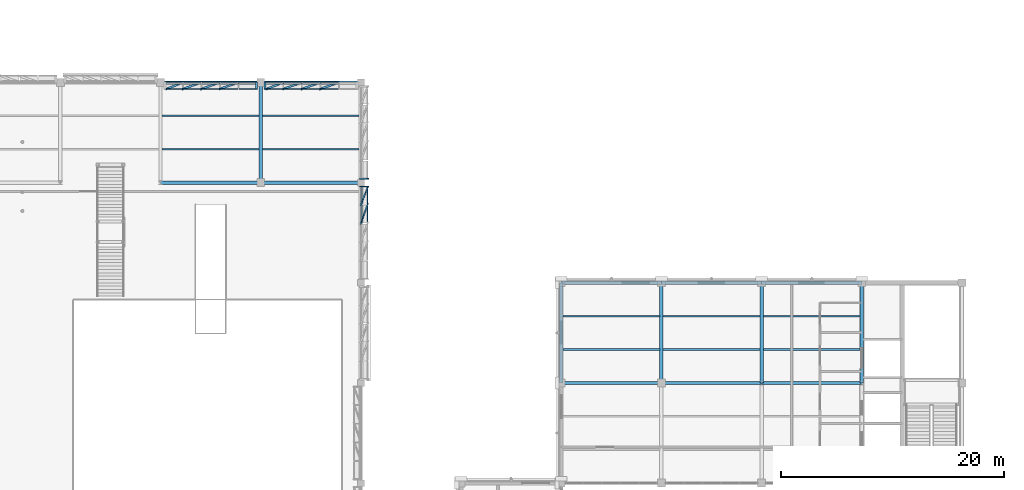
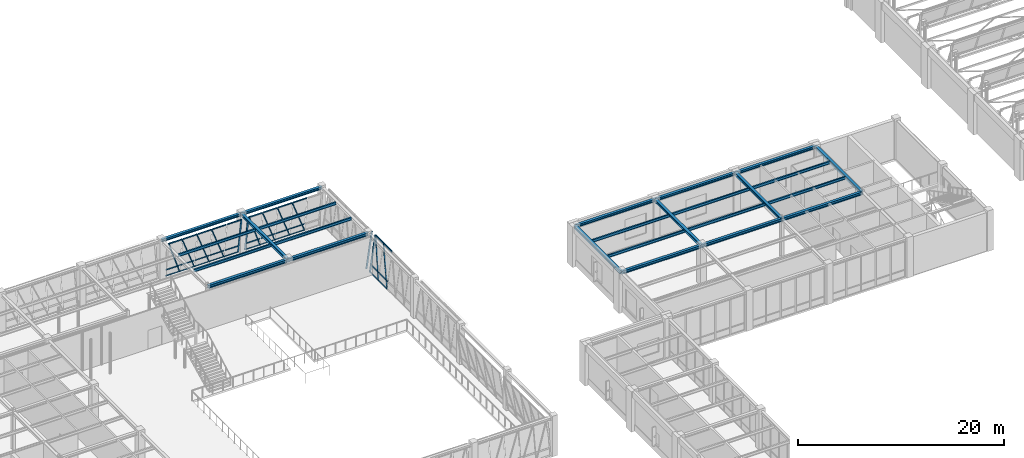
# One storey, part 48 of 98: 47 members, 25 beams, 4 elements without a shape of their own.
"""IFC4 building model written with IfcOpenShell, lengths in metres."""

import ifcopenshell
import ifcopenshell.guid

model = None  # the IFC model being written
_history = None  # IfcOwnerHistory: only IFC2X3 demands one
_inside = {}  # id of a spatial element -> (the spatial element, [elements in it])
_under = {}  # id of a project, library or spatial element -> (it, [spatial elements below it])
_declared = {}  # id of a project -> (the project, [libraries it declares])
_typed = {}  # id of a type object -> (the type object, [elements of that type])
_made_of = {}  # id of a material, layer set ... -> (it, [elements and type objects made of it])


def new_model(schema):
    """Start an empty IFC model of exactly this schema.

    Asked for "IFC4X3", IfcOpenShell would pick the latest addendum, in which some entities
    have other attributes; the version numbers below select the first issue.
    IFC2X3 requires an IfcOwnerHistory on every rooted entity: one is made here for all.
    """
    global model, _history
    if schema == "IFC4X3":
        model = ifcopenshell.file(schema_version=(4, 3, 0, 0))
    else:
        model = ifcopenshell.file(schema=schema)
    _inside.clear()
    _under.clear()
    _declared.clear()
    _typed.clear()
    _made_of.clear()
    _history = None
    if model.schema == "IFC2X3":
        org = make("IfcOrganization", Name="unknown")
        user = make(
            "IfcPersonAndOrganization",
            ThePerson=make("IfcPerson", FamilyName="unknown"),
            TheOrganization=org,
        )
        app = make(
            "IfcApplication",
            ApplicationDeveloper=org,
            Version="unknown",
            ApplicationFullName="unknown",
            ApplicationIdentifier="unknown",
        )
        _history = make(
            "IfcOwnerHistory",
            OwningUser=user,
            OwningApplication=app,
            ChangeAction="ADDED",
            CreationDate=0,
        )
    return model


def make(cls, **values):
    """One entity of the class cls with the attributes given. An attribute that is None is left unset."""
    return model.create_entity(
        cls, **{name: value for name, value in values.items() if value is not None}
    )


def rooted(cls, **values):
    """An entity with a GlobalId (a new one), such as an element, a storey or a relation."""
    return make(cls, GlobalId=ifcopenshell.guid.new(), OwnerHistory=_history, **values)


def si_unit(unit_type, name, prefix=None):
    """IfcSIUnit, for example si_unit("LENGTHUNIT", "METRE", prefix="MILLI")."""
    return make("IfcSIUnit", UnitType=unit_type, Prefix=prefix, Name=name)


def assignment(units):
    """IfcUnitAssignment: the units of a project."""
    return None if units is None else make("IfcUnitAssignment", Units=units)


def point(xyz):
    """IfcCartesianPoint."""
    return None if xyz is None else make("IfcCartesianPoint", Coordinates=xyz)


def direction(xyz):
    """IfcDirection."""
    return None if xyz is None else make("IfcDirection", DirectionRatios=xyz)


def frame(location, z_axis=None, x_axis=None):
    """IfcAxis2Placement3D, a coordinate frame: its origin and axes. An axis left out is left unset."""
    return make(
        "IfcAxis2Placement3D",
        Location=point(location),
        Axis=direction(z_axis),
        RefDirection=direction(x_axis),
    )


def frame_2d(location, x_axis=None):
    """IfcAxis2Placement2D, a coordinate frame in the plane: its origin and x axis."""
    return make(
        "IfcAxis2Placement2D", Location=point(location), RefDirection=direction(x_axis)
    )


def origin():
    """The frame at (0, 0, 0) with its axes left unset."""
    return frame((0.0, 0.0, 0.0))


def origin_2d():
    """The frame at (0, 0) in the plane with its x axis left unset."""
    return frame_2d((0.0, 0.0))


def place(relative_to, where):
    """IfcLocalPlacement: puts the frame where relative to a parent placement (None: the world)."""
    return make(
        "IfcLocalPlacement", PlacementRelTo=relative_to, RelativePlacement=where
    )


def context(
    kind, dimensions, precision=None, world=None, true_north=None, identifier=None
):
    """IfcGeometricRepresentationContext, for example the 3D "Model" context."""
    return make(
        "IfcGeometricRepresentationContext",
        ContextIdentifier=identifier,
        ContextType=kind,
        CoordinateSpaceDimension=dimensions,
        Precision=precision,
        WorldCoordinateSystem=world,
        TrueNorth=true_north,
    )


def subcontext(parent, identifier, kind, view, scale=None):
    """IfcGeometricRepresentationSubContext, for example "Body" below "Model"."""
    return make(
        "IfcGeometricRepresentationSubContext",
        ContextIdentifier=identifier,
        ContextType=kind,
        ParentContext=parent,
        TargetScale=scale,
        TargetView=view,
    )


def project(units=None, contexts=None):
    """IfcProject with its units and contexts."""
    return rooted(
        "IfcProject",
        Name="project",
        RepresentationContexts=contexts,
        UnitsInContext=assignment(units),
    )


def spatial(cls, under=None, at=None, **own):
    """A site, building, storey or space (cls), placed at a placement, below another one or the project."""
    s = rooted(cls, ObjectPlacement=at, **own)
    if under is not None:
        _under.setdefault(under.id(), (under, []))[1].append(s)
    return s


def profile(cls, at=None, kind="AREA", **sizes):
    """A parametric profile (cls). Its sizes go by their IFC names, for example OverallWidth=200.0."""
    return make(cls, ProfileType=kind, Position=at, **sizes)


def hollow_rectangle(**sizes):
    """IfcRectangleHollowProfileDef."""
    return profile("IfcRectangleHollowProfileDef", **sizes)


def i_section(**sizes):
    """IfcIShapeProfileDef."""
    return profile("IfcIShapeProfileDef", **sizes)


def extrude(swept, where, along, depth):
    """IfcExtrudedAreaSolid: the profile swept, set in the frame where, extruded along a direction by depth."""
    return make(
        "IfcExtrudedAreaSolid",
        SweptArea=swept,
        Position=where,
        ExtrudedDirection=direction(along),
        Depth=depth,
    )


def shape(context_of_items, identifier, shape_type, items):
    """IfcShapeRepresentation: the items that make up one representation, for example the "Body"."""
    return make(
        "IfcShapeRepresentation",
        ContextOfItems=context_of_items,
        RepresentationIdentifier=identifier,
        RepresentationType=shape_type,
        Items=items,
    )


def material(Name=None, Category=None):
    """IfcMaterial."""
    return make("IfcMaterial", Name=Name, Category=Category)


def material_profile(
    of_material, cross_section, Name=None, Category=None, Priority=None
):
    """IfcMaterialProfile: a cross section and its material."""
    return make(
        "IfcMaterialProfile",
        Name=Name,
        Material=of_material,
        Profile=cross_section,
        Priority=Priority,
        Category=Category,
    )


def profile_set(profiles, Name=None, composite=None):
    """IfcMaterialProfileSet."""
    return make(
        "IfcMaterialProfileSet",
        Name=Name,
        MaterialProfiles=profiles,
        CompositeProfile=composite,
    )


def made_of(thing, what):
    """Note that an element or type object is made of a material, layer set ...; save() writes the relation."""
    if what is not None:
        _made_of.setdefault(what.id(), (what, []))[1].append(thing)
    return thing


def type_object(cls, material=None, **own):
    """A type object (cls), such as IfcWallType, which elements share."""
    return made_of(rooted(cls, **own), material)


def element(
    cls,
    number,
    at=None,
    inside=None,
    cuts=None,
    type_object=None,
    material=None,
    context=None,
    identifier="Body",
    shape_type=None,
    held_by="IfcProductDefinitionShape",
    body=None,
    shapes=None,
    **own,
):
    """One element of the class cls, such as IfcWall. Its Tag is "e" and its number.

    at: its placement. inside: the storey or other place that contains it. cuts: it is an
    opening in that element (IfcRelVoidsElement). A single representation is given by context,
    identifier, shape_type and body (its items); several are given by shapes. held_by: the class
    of the entity that holds the representations. save() writes the other relations.
    """
    e = rooted(cls, Tag="e%d" % number, ObjectPlacement=at, **own)
    if body is not None:
        shapes = [shape(context, identifier, shape_type, body)]
    if shapes is not None:
        e.Representation = make(held_by, Representations=shapes)
    if inside is not None:
        _inside.setdefault(inside.id(), (inside, []))[1].append(e)
    if cuts is not None:
        rooted(
            "IfcRelVoidsElement", RelatingBuildingElement=cuts, RelatedOpeningElement=e
        )
    if type_object is not None:
        _typed.setdefault(type_object.id(), (type_object, []))[1].append(e)
    return made_of(e, material)


def aggregate(whole, parts):
    """IfcRelAggregates: a whole, such as a stair, and the parts it consists of."""
    return rooted("IfcRelAggregates", RelatingObject=whole, RelatedObjects=parts)


def save(model, path):
    """Write the relations noted so far, then the file.

    IfcRelAggregates (storeys below a building ...), IfcRelContainedInSpatialStructure (elements
    in a storey), IfcRelDefinesByType, IfcRelAssociatesMaterial and IfcRelDeclares: one each for
    every whole, place, type object, material and project.
    """
    for whole, parts in _under.values():
        aggregate(whole, parts)
    for where, things in _inside.values():
        rooted(
            "IfcRelContainedInSpatialStructure",
            RelatedElements=things,
            RelatingStructure=where,
        )
    for kind, things in _typed.values():
        rooted("IfcRelDefinesByType", RelatedObjects=things, RelatingType=kind)
    for what, things in _made_of.values():
        rooted("IfcRelAssociatesMaterial", RelatedObjects=things, RelatingMaterial=what)
    for by, libraries in _declared.values():
        rooted("IfcRelDeclares", RelatingContext=by, RelatedDefinitions=libraries)
    model.write(path)


model = new_model("IFC4")

# Units and contexts
model_context = context("Model", 3, precision=1e-05, world=origin(), true_north=direction((0.0, 1.0)))
body_context = subcontext(model_context, "Body", "Model", "MODEL_VIEW")
ifc_project = project(units=[si_unit("LENGTHUNIT", "METRE"), si_unit("AREAUNIT", "SQUARE_METRE"), si_unit("VOLUMEUNIT", "CUBIC_METRE"), si_unit("PLANEANGLEUNIT", "RADIAN"), si_unit("MASSUNIT", "GRAM", prefix="KILO")], contexts=[model_context])

# Site, building, storey
site_placement = place(None, origin())
site = spatial("IfcSite", under=ifc_project, at=site_placement, CompositionType="ELEMENT")
building_placement = place(site_placement, origin())
building = spatial("IfcBuilding", under=site, at=building_placement, Name="Lykobir Media Centre", CompositionType="ELEMENT")
storey_placement = place(building_placement, frame((0.0, 0.0, 10.199951171875)))
storey = spatial("IfcBuildingStorey", under=building, at=storey_placement, Name="L02", CompositionType="ELEMENT", Elevation=10.199951171875)

# Beams
ifc_material_1 = material(Name="Steel S355", Category="steel")
ifc_material_profile_1 = material_profile(ifc_material_1, i_section(OverallWidth=0.300048828125, OverallDepth=0.330078125, WebThickness=0.009521484375, FlangeThickness=0.0166015625, at=origin_2d()), Name="HEA 340")
ifc_profile_set_1 = profile_set([ifc_material_profile_1], Name="Steel S355")
beam_type_1 = type_object("IfcBeamType", Name="BM-HEA340", PredefinedType="BEAM", material=ifc_profile_set_1)
for number, where, z_axis, x_axis, name in (
    (1, (72.0, 99.0, 4.39501953125), (0.0, 1.0, 0.0), (-1.0, 0.0, 0.0), "Beam BM-L02-0720-0990-0720-1080-1460"),
    (2, (99.0, 81.0, 4.39501953125), (0.0, 1.0, 0.0), (-1.0, 0.0, 0.0), "Beam BM-L02-0990-0810-0990-0900-1460"),
    (3, (108.0, 81.0, 4.39501953125), (0.0, 1.0, 0.0), (-1.0, 0.0, 0.0), "Beam BM-L02-1080-0810-1080-0900-1460"),
    (4, (117.0, 81.0, 4.39501953125), (0.0, 1.0, 0.0), (-1.0, 0.0, 0.0), "Beam BM-L02-1170-0810-1170-0900-1460"),
    (5, (126.0, 81.0, 4.39501953125), (0.0, 1.0, 0.0), (-1.0, 0.0, 0.0), "Beam BM-L02-1260-0810-1260-0900-1460"),
):
    element("IfcBeam", number, at=place(storey_placement, frame(where, z_axis=z_axis, x_axis=x_axis)), inside=storey, type_object=beam_type_1, Name=name, PredefinedType="BEAM", context=body_context, shape_type="SweptSolid", body=[
        extrude(i_section(OverallWidth=0.300048828125, OverallDepth=0.330078125, WebThickness=0.009521484375, FlangeThickness=0.0166015625, at=origin_2d()), origin(), (0.0, 0.0, 1.0), 9.0),
    ])
ifc_material_profile_2 = material_profile(ifc_material_1, i_section(OverallWidth=0.300048828125, OverallDepth=0.35009765625, WebThickness=0.010009765625, FlangeThickness=0.017578125, at=origin_2d()), Name="HEA 360")
ifc_profile_set_2 = profile_set([ifc_material_profile_2], Name="Steel S355")
beam_type_2 = type_object("IfcBeamType", Name="BM-HEA360", PredefinedType="BEAM", material=ifc_profile_set_2)
for number, where, z_axis, x_axis, name in (
    (6, (99.0, 81.0, 4.385009765625), (1.0, 0.0, 0.0), (0.0, 1.0, 0.0), "Beam BM-L02-0990-0810-1080-0810-1458"),
    (7, (108.0, 81.0, 4.385009765625), (1.0, 0.0, 0.0), (0.0, 1.0, 0.0), "Beam BM-L02-1080-0810-1170-0810-1458"),
    (8, (117.0, 81.0, 4.385009765625), (1.0, 0.0, 0.0), (0.0, 1.0, 0.0), "Beam BM-L02-1170-0810-1260-0810-1458"),
    (9, (63.0, 99.0, 4.385009765625), (1.0, 0.0, 0.0), (0.0, 1.0, 0.0), "Beam BM-L02-0630-0990-0720-0990-1458"),
    (10, (72.0, 99.0, 4.385009765625), (1.0, 0.0, 0.0), (0.0, 1.0, 0.0), "Beam BM-L02-0720-0990-0810-0990-1458"),
):
    element("IfcBeam", number, at=place(storey_placement, frame(where, z_axis=z_axis, x_axis=x_axis)), inside=storey, type_object=beam_type_2, Name=name, PredefinedType="BEAM", context=body_context, shape_type="SweptSolid", body=[
        extrude(i_section(OverallWidth=0.300048828125, OverallDepth=0.35009765625, WebThickness=0.010009765625, FlangeThickness=0.017578125, at=origin_2d()), origin(), (0.0, 0.0, 1.0), 9.0),
    ])

# Curtain wall, members
ifc_material_2 = material(Name="Anodized Aluminium AW-6060", Category="aluminium")
curtain_wall_type = type_object("IfcCurtainWallType", Name="CW-V6-CR2", PredefinedType="NOTDEFINED", material=ifc_material_2)
curtain_wall_1_placement = place(storey_placement, origin())
curtain_wall_1 = element("IfcCurtainWall", 11, at=curtain_wall_1_placement, inside=storey, type_object=curtain_wall_type, Name="Curtain wall CW2-L02-0090", PredefinedType="NOTDEFINED")
ifc_material_profile_3 = material_profile(ifc_material_2, hollow_rectangle(XDim=0.074951171875, YDim=0.179931640625, WallThickness=0.00390625, at=origin_2d()), Name="ALU MULLION 75x180")
ifc_profile_set_3 = profile_set([ifc_material_profile_3], Name="Anodized Aluminium AW-6060")
member_type_1 = type_object("IfcMemberType", Name="CWM-180", PredefinedType="MULLION", material=ifc_profile_set_3)
member_1_placement = place(storey_placement, frame((81.0, 95.339111328125, 0.0), z_axis=(0.132259432652, 0.374558713271, 0.917721751288), x_axis=(0.942941147741, -0.332959444824, 0.0)))
member_1 = element("IfcMember", 12, at=member_1_placement, type_object=member_type_1, Name="CW2-L02-0090 mullion 4", PredefinedType="MULLION", context=body_context, shape_type="SweptSolid", body=[
    extrude(hollow_rectangle(XDim=0.074951171875, YDim=0.179931640625, WallThickness=0.00390625, at=origin_2d()), origin(), (0.0, 0.0, 1.0), 4.61474609375),
])
member_2_placement = place(storey_placement, frame((81.0, 97.01708984375, 0.0), z_axis=(0.133959771606, 0.343580022215, 0.929520063219), x_axis=(0.931687998403, -0.36325951279, 0.0)))
member_2 = element("IfcMember", 13, at=member_2_placement, type_object=member_type_1, Name="CW2-L02-0090 mullion 5", PredefinedType="MULLION", context=body_context, shape_type="SweptSolid", body=[
    extrude(hollow_rectangle(XDim=0.074951171875, YDim=0.179931640625, WallThickness=0.00390625, at=origin_2d()), origin(), (0.0, 0.0, 1.0), 4.55615234375),
])
member_3_placement = place(storey_placement, frame((81.0, 98.657470703125, 0.0), z_axis=(0.142643417261, 0.0, 0.989774143687), x_axis=(0.0, -1.0, 0.0)))
member_3 = element("IfcMember", 14, at=member_3_placement, type_object=member_type_1, Name="CW2-L02-0090 mullion 6", PredefinedType="MULLION", context=body_context, shape_type="SweptSolid", body=[
    extrude(hollow_rectangle(XDim=0.074951171875, YDim=0.179931640625, WallThickness=0.00390625, at=origin_2d()), origin(), (0.0, 0.0, 1.0), 4.27880859375),
])

# Curtain wall, member
curtain_wall_2_placement = place(storey_placement, origin())
curtain_wall_2 = element("IfcCurtainWall", 15, at=curtain_wall_2_placement, inside=storey, type_object=curtain_wall_type, Name="Curtain wall CW2-L02-0091", PredefinedType="NOTDEFINED")
member_4_placement = place(storey_placement, frame((81.0, 99.342529296875, 0.0), z_axis=(0.142643417261, 0.0, 0.989774143687), x_axis=(0.0, -1.0, 0.0)))
member_4 = element("IfcMember", 16, at=member_4_placement, type_object=member_type_1, Name="CW2-L02-0091 mullion 1", PredefinedType="MULLION", context=body_context, shape_type="SweptSolid", body=[
    extrude(hollow_rectangle(XDim=0.074951171875, YDim=0.179931640625, WallThickness=0.00390625, at=origin_2d()), origin(), (0.0, 0.0, 1.0), 4.27880859375),
])
aggregate(curtain_wall_2, [member_4])

# Curtain wall, members
curtain_wall_3_placement = place(storey_placement, origin())
curtain_wall_3 = element("IfcCurtainWall", 17, at=curtain_wall_3_placement, inside=storey, type_object=curtain_wall_type, Name="Curtain wall CW2-L02-0095", PredefinedType="NOTDEFINED")
member_5_placement = place(storey_placement, frame((65.012939453125, 108.0, 0.0), z_axis=(-0.339696067338, -0.134161164036, 0.930917485011), x_axis=(0.865836279021, 0.34195745617, 0.365229566301)))
member_5 = element("IfcMember", 18, at=member_5_placement, type_object=member_type_1, Name="CW2-L02-0095 mullion 2", PredefinedType="MULLION", context=body_context, shape_type="SweptSolid", body=[
    extrude(hollow_rectangle(XDim=0.074951171875, YDim=0.179931640625, WallThickness=0.00390625, at=origin_2d()), origin(), (0.0, 0.0, 1.0), 4.54931640625),
])
member_6_placement = place(storey_placement, frame((66.6708984375, 108.0, 0.0), z_axis=(-0.374558713271, -0.132259432652, 0.917721751288), x_axis=(0.865357601466, 0.305564124811, 0.397223850257)))
member_6 = element("IfcMember", 19, at=member_6_placement, type_object=member_type_1, Name="CW2-L02-0095 mullion 3", PredefinedType="MULLION", context=body_context, shape_type="SweptSolid", body=[
    extrude(hollow_rectangle(XDim=0.074951171875, YDim=0.179931640625, WallThickness=0.00390625, at=origin_2d()), origin(), (0.0, 0.0, 1.0), 4.61474609375),
])
member_7_placement = place(storey_placement, frame((68.3291015625, 108.0, 0.0), z_axis=(-0.374604193598, -0.132256811749, 0.917703565365), x_axis=(0.86535400057, 0.305519700808, 0.397265863265)))
member_7 = element("IfcMember", 20, at=member_7_placement, type_object=member_type_1, Name="CW2-L02-0095 mullion 4", PredefinedType="MULLION", context=body_context, shape_type="SweptSolid", body=[
    extrude(hollow_rectangle(XDim=0.074951171875, YDim=0.179931640625, WallThickness=0.00390625, at=origin_2d()), origin(), (0.0, 0.0, 1.0), 4.614990234375),
])
member_8_placement = place(storey_placement, frame((69.987060546875, 108.0, 0.0), z_axis=(-0.374604193598, -0.132256811749, 0.917703565365), x_axis=(0.86535400057, 0.305519700808, 0.397265863265)))
member_8 = element("IfcMember", 21, at=member_8_placement, type_object=member_type_1, Name="CW2-L02-0095 mullion 5", PredefinedType="MULLION", context=body_context, shape_type="SweptSolid", body=[
    extrude(hollow_rectangle(XDim=0.074951171875, YDim=0.179931640625, WallThickness=0.00390625, at=origin_2d()), origin(), (0.0, 0.0, 1.0), 4.614990234375),
])
member_9_placement = place(storey_placement, frame((71.607421875, 108.0, 0.0), z_axis=(0.0, -0.142643417261, 0.989774143687), x_axis=(0.0, 0.989774143687, 0.142643417261)))
member_9 = element("IfcMember", 22, at=member_9_placement, type_object=member_type_1, Name="CW2-L02-0095 mullion 6", PredefinedType="MULLION", context=body_context, shape_type="SweptSolid", body=[
    extrude(hollow_rectangle(XDim=0.074951171875, YDim=0.179931640625, WallThickness=0.00390625, at=origin_2d()), origin(), (0.0, 0.0, 1.0), 4.27880859375),
])

curtain_wall_4_placement = place(storey_placement, origin())
curtain_wall_4 = element("IfcCurtainWall", 23, at=curtain_wall_4_placement, inside=storey, type_object=curtain_wall_type, Name="Curtain wall CW2-L02-0096", PredefinedType="NOTDEFINED")
member_10_placement = place(storey_placement, frame((72.392578125, 108.0, 0.0), z_axis=(0.0, -0.142643417261, 0.989774143687), x_axis=(0.0, 0.989774143687, 0.142643417261)))
member_10 = element("IfcMember", 24, at=member_10_placement, type_object=member_type_1, Name="CW2-L02-0096 mullion 1", PredefinedType="MULLION", context=body_context, shape_type="SweptSolid", body=[
    extrude(hollow_rectangle(XDim=0.074951171875, YDim=0.179931640625, WallThickness=0.00390625, at=origin_2d()), origin(), (0.0, 0.0, 1.0), 4.27880859375),
])
member_11_placement = place(storey_placement, frame((74.02294921875, 108.0, 0.0), z_axis=(-0.341640232781, -0.134060678379, 0.930220235137), x_axis=(0.865937622104, 0.339796586919, 0.36700179038)))
member_11 = element("IfcMember", 25, at=member_11_placement, type_object=member_type_1, Name="CW2-L02-0096 mullion 2", PredefinedType="MULLION", context=body_context, shape_type="SweptSolid", body=[
    extrude(hollow_rectangle(XDim=0.074951171875, YDim=0.179931640625, WallThickness=0.00390625, at=origin_2d()), origin(), (0.0, 0.0, 1.0), 4.552734375),
])
member_12_placement = place(storey_placement, frame((75.69091796875, 108.0, 0.0), z_axis=(-0.374558713271, -0.132259432652, 0.917721751288), x_axis=(0.865357601466, 0.305564124811, 0.397223850257)))
member_12 = element("IfcMember", 26, at=member_12_placement, type_object=member_type_1, Name="CW2-L02-0096 mullion 3", PredefinedType="MULLION", context=body_context, shape_type="SweptSolid", body=[
    extrude(hollow_rectangle(XDim=0.074951171875, YDim=0.179931640625, WallThickness=0.00390625, at=origin_2d()), origin(), (0.0, 0.0, 1.0), 4.61474609375),
])
member_13_placement = place(storey_placement, frame((77.35888671875, 108.0, 0.0), z_axis=(-0.374558713271, -0.132259432652, 0.917721751288), x_axis=(0.865357601466, 0.305564124811, 0.397223850257)))
member_13 = element("IfcMember", 27, at=member_13_placement, type_object=member_type_1, Name="CW2-L02-0096 mullion 4", PredefinedType="MULLION", context=body_context, shape_type="SweptSolid", body=[
    extrude(hollow_rectangle(XDim=0.074951171875, YDim=0.179931640625, WallThickness=0.00390625, at=origin_2d()), origin(), (0.0, 0.0, 1.0), 4.61474609375),
])
member_14_placement = place(storey_placement, frame((79.027099609375, 108.0, 0.0), z_axis=(-0.374604193598, -0.132256811749, 0.917703565365), x_axis=(0.86535400057, 0.305519700808, 0.397265863265)))
member_14 = element("IfcMember", 28, at=member_14_placement, type_object=member_type_1, Name="CW2-L02-0096 mullion 5", PredefinedType="MULLION", context=body_context, shape_type="SweptSolid", body=[
    extrude(hollow_rectangle(XDim=0.074951171875, YDim=0.179931640625, WallThickness=0.00390625, at=origin_2d()), origin(), (0.0, 0.0, 1.0), 4.614990234375),
])

# Member
ifc_material_profile_4 = material_profile(ifc_material_2, hollow_rectangle(XDim=0.074951171875, YDim=0.14990234375, WallThickness=0.00341796875, at=origin_2d()), Name="ALU TRANSOM 75x150")
ifc_profile_set_4 = profile_set([ifc_material_profile_4], Name="Anodized Aluminium AW-6060")
member_type_2 = type_object("IfcMemberType", Name="CWT-150", PredefinedType="USERDEFINED", material=ifc_profile_set_4)
member_15_placement = place(storey_placement, frame((81.00537109375, 95.37646484375, 0.037109375), z_axis=(0.0, 1.0, 0.0), x_axis=(-0.989776230908, 0.0, 0.142628933706)))
member_15 = element("IfcMember", 29, at=member_15_placement, type_object=member_type_2, Name="CW2-L02-0090 transom 4.1", ObjectType="TRANSOM", PredefinedType="USERDEFINED", context=body_context, shape_type="SweptSolid", body=[
    extrude(hollow_rectangle(XDim=0.074951171875, YDim=0.14990234375, WallThickness=0.00341796875, at=origin_2d()), origin(), (0.0, 0.0, 1.0), 1.60302734375),
])

member_16_placement = place(storey_placement, frame((81.12109375, 95.37646484375, 0.84130859375), z_axis=(0.0, 1.0, 0.0), x_axis=(-0.989776230908, 0.0, 0.142628933706)))
member_16 = element("IfcMember", 30, at=member_16_placement, type_object=member_type_2, Name="CW2-L02-0090 transom 4.2", ObjectType="TRANSOM", PredefinedType="USERDEFINED", context=body_context, shape_type="SweptSolid", body=[
    extrude(hollow_rectangle(XDim=0.074951171875, YDim=0.14990234375, WallThickness=0.00341796875, at=origin_2d()), origin(), (0.0, 0.0, 1.0), 1.60302734375),
])

member_17_placement = place(storey_placement, frame((81.60498046875, 95.37646484375, 4.19775390625), z_axis=(0.0, 1.0, 0.0), x_axis=(-0.989776230908, 0.0, 0.142628933706)))
member_17 = element("IfcMember", 31, at=member_17_placement, type_object=member_type_2, Name="CW2-L02-0090 transom 4.3", ObjectType="TRANSOM", PredefinedType="USERDEFINED", context=body_context, shape_type="SweptSolid", body=[
    extrude(hollow_rectangle(XDim=0.074951171875, YDim=0.14990234375, WallThickness=0.00341796875, at=origin_2d()), origin(), (0.0, 0.0, 1.0), 1.60302734375),
])

member_18_placement = place(storey_placement, frame((81.00537109375, 97.054443359375, 0.037109375), z_axis=(0.0, 1.0, 0.0), x_axis=(-0.989776230908, 0.0, 0.142628933706)))
member_18 = element("IfcMember", 32, at=member_18_placement, type_object=member_type_2, Name="CW2-L02-0090 transom 5.1", ObjectType="TRANSOM", PredefinedType="USERDEFINED", context=body_context, shape_type="SweptSolid", body=[
    extrude(hollow_rectangle(XDim=0.074951171875, YDim=0.14990234375, WallThickness=0.00341796875, at=origin_2d()), origin(), (0.0, 0.0, 1.0), 1.565673828125),
])

member_19_placement = place(storey_placement, frame((81.12109375, 97.054443359375, 0.84130859375), z_axis=(0.0, 1.0, 0.0), x_axis=(-0.989776230908, 0.0, 0.142628933706)))
member_19 = element("IfcMember", 33, at=member_19_placement, type_object=member_type_2, Name="CW2-L02-0090 transom 5.2", ObjectType="TRANSOM", PredefinedType="USERDEFINED", context=body_context, shape_type="SweptSolid", body=[
    extrude(hollow_rectangle(XDim=0.074951171875, YDim=0.14990234375, WallThickness=0.00341796875, at=origin_2d()), origin(), (0.0, 0.0, 1.0), 1.565673828125),
])

member_20_placement = place(storey_placement, frame((81.60498046875, 97.054443359375, 4.19775390625), z_axis=(0.0, 1.0, 0.0), x_axis=(-0.989776230908, 0.0, 0.142628933706)))
member_20 = element("IfcMember", 34, at=member_20_placement, type_object=member_type_2, Name="CW2-L02-0090 transom 5.3", ObjectType="TRANSOM", PredefinedType="USERDEFINED", context=body_context, shape_type="SweptSolid", body=[
    extrude(hollow_rectangle(XDim=0.074951171875, YDim=0.14990234375, WallThickness=0.00341796875, at=origin_2d()), origin(), (0.0, 0.0, 1.0), 1.565673828125),
])

aggregate(curtain_wall_1, [member_1, member_2, member_3, member_15, member_16, member_17, member_18, member_19, member_20])

member_21_placement = place(storey_placement, frame((63.429931640625, 107.99462890625, 0.037109375), z_axis=(1.0, 0.0, 0.0), x_axis=(0.0, 0.989776230908, 0.142628933706)))
member_21 = element("IfcMember", 35, at=member_21_placement, type_object=member_type_2, Name="CW2-L02-0095 transom 1.1", ObjectType="TRANSOM", PredefinedType="USERDEFINED", context=body_context, shape_type="SweptSolid", body=[
    extrude(hollow_rectangle(XDim=0.074951171875, YDim=0.14990234375, WallThickness=0.00341796875, at=origin_2d()), origin(), (0.0, 0.0, 1.0), 1.545654296875),
])

member_22_placement = place(storey_placement, frame((63.429931640625, 107.87890625, 0.84130859375), z_axis=(1.0, 0.0, 0.0), x_axis=(0.0, 0.989776230908, 0.142628933706)))
member_22 = element("IfcMember", 36, at=member_22_placement, type_object=member_type_2, Name="CW2-L02-0095 transom 1.2", ObjectType="TRANSOM", PredefinedType="USERDEFINED", context=body_context, shape_type="SweptSolid", body=[
    extrude(hollow_rectangle(XDim=0.074951171875, YDim=0.14990234375, WallThickness=0.00341796875, at=origin_2d()), origin(), (0.0, 0.0, 1.0), 1.545654296875),
])

member_23_placement = place(storey_placement, frame((63.429931640625, 107.39501953125, 4.19775390625), z_axis=(1.0, 0.0, 0.0), x_axis=(0.0, 0.989776230908, 0.142628933706)))
member_23 = element("IfcMember", 37, at=member_23_placement, type_object=member_type_2, Name="CW2-L02-0095 transom 1.3", ObjectType="TRANSOM", PredefinedType="USERDEFINED", context=body_context, shape_type="SweptSolid", body=[
    extrude(hollow_rectangle(XDim=0.074951171875, YDim=0.14990234375, WallThickness=0.00341796875, at=origin_2d()), origin(), (0.0, 0.0, 1.0), 1.545654296875),
])

member_24_placement = place(storey_placement, frame((65.050537109375, 107.99462890625, 0.037109375), z_axis=(1.0, 0.0, 0.0), x_axis=(0.0, 0.989776230908, 0.142628933706)))
member_24 = element("IfcMember", 38, at=member_24_placement, type_object=member_type_2, Name="CW2-L02-0095 transom 2.1", ObjectType="TRANSOM", PredefinedType="USERDEFINED", context=body_context, shape_type="SweptSolid", body=[
    extrude(hollow_rectangle(XDim=0.074951171875, YDim=0.14990234375, WallThickness=0.00341796875, at=origin_2d()), origin(), (0.0, 0.0, 1.0), 1.5830078125),
])

member_25_placement = place(storey_placement, frame((65.050537109375, 107.87890625, 0.84130859375), z_axis=(1.0, 0.0, 0.0), x_axis=(0.0, 0.989776230908, 0.142628933706)))
member_25 = element("IfcMember", 39, at=member_25_placement, type_object=member_type_2, Name="CW2-L02-0095 transom 2.2", ObjectType="TRANSOM", PredefinedType="USERDEFINED", context=body_context, shape_type="SweptSolid", body=[
    extrude(hollow_rectangle(XDim=0.074951171875, YDim=0.14990234375, WallThickness=0.00341796875, at=origin_2d()), origin(), (0.0, 0.0, 1.0), 1.5830078125),
])

member_26_placement = place(storey_placement, frame((65.050537109375, 107.39501953125, 4.19775390625), z_axis=(1.0, 0.0, 0.0), x_axis=(0.0, 0.989776230908, 0.142628933706)))
member_26 = element("IfcMember", 40, at=member_26_placement, type_object=member_type_2, Name="CW2-L02-0095 transom 2.3", ObjectType="TRANSOM", PredefinedType="USERDEFINED", context=body_context, shape_type="SweptSolid", body=[
    extrude(hollow_rectangle(XDim=0.074951171875, YDim=0.14990234375, WallThickness=0.00341796875, at=origin_2d()), origin(), (0.0, 0.0, 1.0), 1.5830078125),
])

member_27_placement = place(storey_placement, frame((66.70849609375, 107.99462890625, 0.037109375), z_axis=(1.0, 0.0, 0.0), x_axis=(0.0, 0.989776230908, 0.142628933706)))
member_27 = element("IfcMember", 41, at=member_27_placement, type_object=member_type_2, Name="CW2-L02-0095 transom 3.1", ObjectType="TRANSOM", PredefinedType="USERDEFINED", context=body_context, shape_type="SweptSolid", body=[
    extrude(hollow_rectangle(XDim=0.074951171875, YDim=0.14990234375, WallThickness=0.00341796875, at=origin_2d()), origin(), (0.0, 0.0, 1.0), 1.5830078125),
])

member_28_placement = place(storey_placement, frame((66.70849609375, 107.87890625, 0.84130859375), z_axis=(1.0, 0.0, 0.0), x_axis=(0.0, 0.989776230908, 0.142628933706)))
member_28 = element("IfcMember", 42, at=member_28_placement, type_object=member_type_2, Name="CW2-L02-0095 transom 3.2", ObjectType="TRANSOM", PredefinedType="USERDEFINED", context=body_context, shape_type="SweptSolid", body=[
    extrude(hollow_rectangle(XDim=0.074951171875, YDim=0.14990234375, WallThickness=0.00341796875, at=origin_2d()), origin(), (0.0, 0.0, 1.0), 1.5830078125),
])

member_29_placement = place(storey_placement, frame((66.70849609375, 107.39501953125, 4.19775390625), z_axis=(1.0, 0.0, 0.0), x_axis=(0.0, 0.989776230908, 0.142628933706)))
member_29 = element("IfcMember", 43, at=member_29_placement, type_object=member_type_2, Name="CW2-L02-0095 transom 3.3", ObjectType="TRANSOM", PredefinedType="USERDEFINED", context=body_context, shape_type="SweptSolid", body=[
    extrude(hollow_rectangle(XDim=0.074951171875, YDim=0.14990234375, WallThickness=0.00341796875, at=origin_2d()), origin(), (0.0, 0.0, 1.0), 1.5830078125),
])

member_30_placement = place(storey_placement, frame((68.366455078125, 107.99462890625, 0.037109375), z_axis=(1.0, 0.0, 0.0), x_axis=(0.0, 0.989776230908, 0.142628933706)))
member_30 = element("IfcMember", 44, at=member_30_placement, type_object=member_type_2, Name="CW2-L02-0095 transom 4.1", ObjectType="TRANSOM", PredefinedType="USERDEFINED", context=body_context, shape_type="SweptSolid", body=[
    extrude(hollow_rectangle(XDim=0.074951171875, YDim=0.14990234375, WallThickness=0.00341796875, at=origin_2d()), origin(), (0.0, 0.0, 1.0), 1.5830078125),
])

member_31_placement = place(storey_placement, frame((68.366455078125, 107.87890625, 0.84130859375), z_axis=(1.0, 0.0, 0.0), x_axis=(0.0, 0.989776230908, 0.142628933706)))
member_31 = element("IfcMember", 45, at=member_31_placement, type_object=member_type_2, Name="CW2-L02-0095 transom 4.2", ObjectType="TRANSOM", PredefinedType="USERDEFINED", context=body_context, shape_type="SweptSolid", body=[
    extrude(hollow_rectangle(XDim=0.074951171875, YDim=0.14990234375, WallThickness=0.00341796875, at=origin_2d()), origin(), (0.0, 0.0, 1.0), 1.5830078125),
])

member_32_placement = place(storey_placement, frame((68.366455078125, 107.39501953125, 4.19775390625), z_axis=(1.0, 0.0, 0.0), x_axis=(0.0, 0.989776230908, 0.142628933706)))
member_32 = element("IfcMember", 46, at=member_32_placement, type_object=member_type_2, Name="CW2-L02-0095 transom 4.3", ObjectType="TRANSOM", PredefinedType="USERDEFINED", context=body_context, shape_type="SweptSolid", body=[
    extrude(hollow_rectangle(XDim=0.074951171875, YDim=0.14990234375, WallThickness=0.00341796875, at=origin_2d()), origin(), (0.0, 0.0, 1.0), 1.5830078125),
])

member_33_placement = place(storey_placement, frame((70.0244140625, 107.99462890625, 0.037109375), z_axis=(1.0, 0.0, 0.0), x_axis=(0.0, 0.989776230908, 0.142628933706)))
member_33 = element("IfcMember", 47, at=member_33_placement, type_object=member_type_2, Name="CW2-L02-0095 transom 5.1", ObjectType="TRANSOM", PredefinedType="USERDEFINED", context=body_context, shape_type="SweptSolid", body=[
    extrude(hollow_rectangle(XDim=0.074951171875, YDim=0.14990234375, WallThickness=0.00341796875, at=origin_2d()), origin(), (0.0, 0.0, 1.0), 1.545654296875),
])

member_34_placement = place(storey_placement, frame((70.0244140625, 107.87890625, 0.84130859375), z_axis=(1.0, 0.0, 0.0), x_axis=(0.0, 0.989776230908, 0.142628933706)))
member_34 = element("IfcMember", 48, at=member_34_placement, type_object=member_type_2, Name="CW2-L02-0095 transom 5.2", ObjectType="TRANSOM", PredefinedType="USERDEFINED", context=body_context, shape_type="SweptSolid", body=[
    extrude(hollow_rectangle(XDim=0.074951171875, YDim=0.14990234375, WallThickness=0.00341796875, at=origin_2d()), origin(), (0.0, 0.0, 1.0), 1.545654296875),
])

member_35_placement = place(storey_placement, frame((70.0244140625, 107.39501953125, 4.19775390625), z_axis=(1.0, 0.0, 0.0), x_axis=(0.0, 0.989776230908, 0.142628933706)))
member_35 = element("IfcMember", 49, at=member_35_placement, type_object=member_type_2, Name="CW2-L02-0095 transom 5.3", ObjectType="TRANSOM", PredefinedType="USERDEFINED", context=body_context, shape_type="SweptSolid", body=[
    extrude(hollow_rectangle(XDim=0.074951171875, YDim=0.14990234375, WallThickness=0.00341796875, at=origin_2d()), origin(), (0.0, 0.0, 1.0), 1.545654296875),
])

aggregate(curtain_wall_3, [member_5, member_6, member_7, member_8, member_9, member_21, member_22, member_23, member_24, member_25, member_26, member_27, member_28, member_29, member_30, member_31, member_32, member_33, member_34, member_35])

member_36_placement = place(storey_placement, frame((72.429931640625, 107.99462890625, 0.037109375), z_axis=(1.0, 0.0, 0.0), x_axis=(0.0, 0.989776230908, 0.142628933706)))
member_36 = element("IfcMember", 50, at=member_36_placement, type_object=member_type_2, Name="CW2-L02-0096 transom 1.1", ObjectType="TRANSOM", PredefinedType="USERDEFINED", context=body_context, shape_type="SweptSolid", body=[
    extrude(hollow_rectangle(XDim=0.074951171875, YDim=0.14990234375, WallThickness=0.00341796875, at=origin_2d()), origin(), (0.0, 0.0, 1.0), 1.5556640625),
])

member_37_placement = place(storey_placement, frame((72.429931640625, 107.87890625, 0.84130859375), z_axis=(1.0, 0.0, 0.0), x_axis=(0.0, 0.989776230908, 0.142628933706)))
member_37 = element("IfcMember", 51, at=member_37_placement, type_object=member_type_2, Name="CW2-L02-0096 transom 1.2", ObjectType="TRANSOM", PredefinedType="USERDEFINED", context=body_context, shape_type="SweptSolid", body=[
    extrude(hollow_rectangle(XDim=0.074951171875, YDim=0.14990234375, WallThickness=0.00341796875, at=origin_2d()), origin(), (0.0, 0.0, 1.0), 1.5556640625),
])

member_38_placement = place(storey_placement, frame((72.429931640625, 107.39501953125, 4.19775390625), z_axis=(1.0, 0.0, 0.0), x_axis=(0.0, 0.989776230908, 0.142628933706)))
member_38 = element("IfcMember", 52, at=member_38_placement, type_object=member_type_2, Name="CW2-L02-0096 transom 1.3", ObjectType="TRANSOM", PredefinedType="USERDEFINED", context=body_context, shape_type="SweptSolid", body=[
    extrude(hollow_rectangle(XDim=0.074951171875, YDim=0.14990234375, WallThickness=0.00341796875, at=origin_2d()), origin(), (0.0, 0.0, 1.0), 1.5556640625),
])

member_39_placement = place(storey_placement, frame((74.060546875, 107.99462890625, 0.037109375), z_axis=(1.0, 0.0, 0.0), x_axis=(0.0, 0.989776230908, 0.142628933706)))
member_39 = element("IfcMember", 53, at=member_39_placement, type_object=member_type_2, Name="CW2-L02-0096 transom 2.1", ObjectType="TRANSOM", PredefinedType="USERDEFINED", context=body_context, shape_type="SweptSolid", body=[
    extrude(hollow_rectangle(XDim=0.074951171875, YDim=0.14990234375, WallThickness=0.00341796875, at=origin_2d()), origin(), (0.0, 0.0, 1.0), 1.593017578125),
])

member_40_placement = place(storey_placement, frame((74.060546875, 107.87890625, 0.84130859375), z_axis=(1.0, 0.0, 0.0), x_axis=(0.0, 0.989776230908, 0.142628933706)))
member_40 = element("IfcMember", 54, at=member_40_placement, type_object=member_type_2, Name="CW2-L02-0096 transom 2.2", ObjectType="TRANSOM", PredefinedType="USERDEFINED", context=body_context, shape_type="SweptSolid", body=[
    extrude(hollow_rectangle(XDim=0.074951171875, YDim=0.14990234375, WallThickness=0.00341796875, at=origin_2d()), origin(), (0.0, 0.0, 1.0), 1.593017578125),
])

member_41_placement = place(storey_placement, frame((74.060546875, 107.39501953125, 4.19775390625), z_axis=(1.0, 0.0, 0.0), x_axis=(0.0, 0.989776230908, 0.142628933706)))
member_41 = element("IfcMember", 55, at=member_41_placement, type_object=member_type_2, Name="CW2-L02-0096 transom 2.3", ObjectType="TRANSOM", PredefinedType="USERDEFINED", context=body_context, shape_type="SweptSolid", body=[
    extrude(hollow_rectangle(XDim=0.074951171875, YDim=0.14990234375, WallThickness=0.00341796875, at=origin_2d()), origin(), (0.0, 0.0, 1.0), 1.593017578125),
])

member_42_placement = place(storey_placement, frame((75.728515625, 107.99462890625, 0.037109375), z_axis=(1.0, 0.0, 0.0), x_axis=(0.0, 0.989776230908, 0.142628933706)))
member_42 = element("IfcMember", 56, at=member_42_placement, type_object=member_type_2, Name="CW2-L02-0096 transom 3.1", ObjectType="TRANSOM", PredefinedType="USERDEFINED", context=body_context, shape_type="SweptSolid", body=[
    extrude(hollow_rectangle(XDim=0.074951171875, YDim=0.14990234375, WallThickness=0.00341796875, at=origin_2d()), origin(), (0.0, 0.0, 1.0), 1.593017578125),
])

member_43_placement = place(storey_placement, frame((75.728515625, 107.87890625, 0.84130859375), z_axis=(1.0, 0.0, 0.0), x_axis=(0.0, 0.989776230908, 0.142628933706)))
member_43 = element("IfcMember", 57, at=member_43_placement, type_object=member_type_2, Name="CW2-L02-0096 transom 3.2", ObjectType="TRANSOM", PredefinedType="USERDEFINED", context=body_context, shape_type="SweptSolid", body=[
    extrude(hollow_rectangle(XDim=0.074951171875, YDim=0.14990234375, WallThickness=0.00341796875, at=origin_2d()), origin(), (0.0, 0.0, 1.0), 1.593017578125),
])

member_44_placement = place(storey_placement, frame((75.728515625, 107.39501953125, 4.19775390625), z_axis=(1.0, 0.0, 0.0), x_axis=(0.0, 0.989776230908, 0.142628933706)))
member_44 = element("IfcMember", 58, at=member_44_placement, type_object=member_type_2, Name="CW2-L02-0096 transom 3.3", ObjectType="TRANSOM", PredefinedType="USERDEFINED", context=body_context, shape_type="SweptSolid", body=[
    extrude(hollow_rectangle(XDim=0.074951171875, YDim=0.14990234375, WallThickness=0.00341796875, at=origin_2d()), origin(), (0.0, 0.0, 1.0), 1.593017578125),
])

member_45_placement = place(storey_placement, frame((77.396484375, 107.99462890625, 0.037109375), z_axis=(1.0, 0.0, 0.0), x_axis=(0.0, 0.989776230908, 0.142628933706)))
member_45 = element("IfcMember", 59, at=member_45_placement, type_object=member_type_2, Name="CW2-L02-0096 transom 4.1", ObjectType="TRANSOM", PredefinedType="USERDEFINED", context=body_context, shape_type="SweptSolid", body=[
    extrude(hollow_rectangle(XDim=0.074951171875, YDim=0.14990234375, WallThickness=0.00341796875, at=origin_2d()), origin(), (0.0, 0.0, 1.0), 1.593017578125),
])

member_46_placement = place(storey_placement, frame((77.396484375, 107.87890625, 0.84130859375), z_axis=(1.0, 0.0, 0.0), x_axis=(0.0, 0.989776230908, 0.142628933706)))
member_46 = element("IfcMember", 60, at=member_46_placement, type_object=member_type_2, Name="CW2-L02-0096 transom 4.2", ObjectType="TRANSOM", PredefinedType="USERDEFINED", context=body_context, shape_type="SweptSolid", body=[
    extrude(hollow_rectangle(XDim=0.074951171875, YDim=0.14990234375, WallThickness=0.00341796875, at=origin_2d()), origin(), (0.0, 0.0, 1.0), 1.593017578125),
])

member_47_placement = place(storey_placement, frame((77.396484375, 107.39501953125, 4.19775390625), z_axis=(1.0, 0.0, 0.0), x_axis=(0.0, 0.989776230908, 0.142628933706)))
member_47 = element("IfcMember", 61, at=member_47_placement, type_object=member_type_2, Name="CW2-L02-0096 transom 4.3", ObjectType="TRANSOM", PredefinedType="USERDEFINED", context=body_context, shape_type="SweptSolid", body=[
    extrude(hollow_rectangle(XDim=0.074951171875, YDim=0.14990234375, WallThickness=0.00341796875, at=origin_2d()), origin(), (0.0, 0.0, 1.0), 1.593017578125),
])

aggregate(curtain_wall_4, [member_10, member_11, member_12, member_13, member_14, member_36, member_37, member_38, member_39, member_40, member_41, member_42, member_43, member_44, member_45, member_46, member_47])

# Beams
ifc_material_profile_5 = material_profile(ifc_material_1, i_section(OverallWidth=0.159912109375, OverallDepth=0.330078125, WebThickness=0.007568359375, FlangeThickness=0.011474609375, at=origin_2d()), Name="IPE 330")
ifc_profile_set_5 = profile_set([ifc_material_profile_5], Name="Steel S355")
beam_type_3 = type_object("IfcBeamType", Name="JS-IPE330", PredefinedType="JOIST", material=ifc_profile_set_5)
for number, where, z_axis, x_axis, name in (
    (62, (63.14990234375, 102.0, 4.39501953125), (1.0, 0.0, 0.0), (0.0, 1.0, 0.0), "Beam BM-L02-0632-1020-0718-1020-1460"),
    (63, (63.14990234375, 105.0, 4.39501953125), (1.0, 0.0, 0.0), (0.0, 1.0, 0.0), "Beam BM-L02-0632-1050-0718-1050-1460"),
    (64, (72.14990234375, 102.0, 4.39501953125), (1.0, 0.0, 0.0), (0.0, 1.0, 0.0), "Beam BM-L02-0722-1020-0808-1020-1460"),
    (65, (72.14990234375, 105.0, 4.39501953125), (1.0, 0.0, 0.0), (0.0, 1.0, 0.0), "Beam BM-L02-0722-1050-0808-1050-1460"),
    (66, (99.14990234375, 84.0, 4.39501953125), (1.0, 0.0, 0.0), (0.0, 1.0, 0.0), "Beam BM-L02-0992-0840-1078-0840-1460"),
    (67, (99.14990234375, 87.0, 4.39501953125), (1.0, 0.0, 0.0), (0.0, 1.0, 0.0), "Beam BM-L02-0992-0870-1078-0870-1460"),
    (68, (108.14990234375, 84.0, 4.39501953125), (1.0, 0.0, 0.0), (0.0, 1.0, 0.0), "Beam BM-L02-1082-0840-1168-0840-1460"),
    (69, (108.14990234375, 87.0, 4.39501953125), (1.0, 0.0, 0.0), (0.0, 1.0, 0.0), "Beam BM-L02-1082-0870-1168-0870-1460"),
    (70, (117.14990234375, 84.0, 4.39501953125), (1.0, 0.0, 0.0), (0.0, 1.0, 0.0), "Beam BM-L02-1172-0840-1258-0840-1460"),
    (71, (117.14990234375, 87.0, 4.39501953125), (1.0, 0.0, 0.0), (0.0, 1.0, 0.0), "Beam BM-L02-1172-0870-1258-0870-1460"),
):
    element("IfcBeam", number, at=place(storey_placement, frame(where, z_axis=z_axis, x_axis=x_axis)), inside=storey, type_object=beam_type_3, Name=name, PredefinedType="JOIST", context=body_context, shape_type="SweptSolid", body=[
        extrude(i_section(OverallWidth=0.159912109375, OverallDepth=0.330078125, WebThickness=0.007568359375, FlangeThickness=0.011474609375, at=origin_2d()), origin(), (0.0, 0.0, 1.0), 8.7001953125),
    ])
ifc_material_profile_6 = material_profile(ifc_material_1, i_section(OverallWidth=0.300048828125, OverallDepth=0.31005859375, WebThickness=0.009033203125, FlangeThickness=0.015380859375, at=origin_2d()), Name="HEA 320")
ifc_profile_set_6 = profile_set([ifc_material_profile_6], Name="Steel S355")
beam_type_4 = type_object("IfcBeamType", Name="SP-HEA320", PredefinedType="SPANDREL", material=ifc_profile_set_6)
for number, where, z_axis, x_axis, name in (
    (72, (99.0, 90.0, 4.405029296875), (1.0, 0.0, 0.0), (0.0, 1.0, 0.0), "Beam BM-L02-0990-0900-1080-0900-1460"),
    (73, (108.0, 90.0, 4.405029296875), (1.0, 0.0, 0.0), (0.0, 1.0, 0.0), "Beam BM-L02-1080-0900-1170-0900-1460"),
    (74, (117.0, 90.0, 4.405029296875), (1.0, 0.0, 0.0), (0.0, 1.0, 0.0), "Beam BM-L02-1170-0900-1260-0900-1460"),
    (75, (63.0, 108.0, 4.405029296875), (1.0, 0.0, 0.0), (0.0, 1.0, 0.0), "Beam BM-L02-0630-1080-0720-1080-1460"),
    (76, (72.0, 108.0, 4.405029296875), (1.0, 0.0, 0.0), (0.0, 1.0, 0.0), "Beam BM-L02-0720-1080-0810-1080-1460"),
):
    element("IfcBeam", number, at=place(storey_placement, frame(where, z_axis=z_axis, x_axis=x_axis)), inside=storey, type_object=beam_type_4, Name=name, PredefinedType="SPANDREL", context=body_context, shape_type="SweptSolid", body=[
        extrude(i_section(OverallWidth=0.300048828125, OverallDepth=0.31005859375, WebThickness=0.009033203125, FlangeThickness=0.015380859375, at=origin_2d()), origin(), (0.0, 0.0, 1.0), 9.0),
    ])

save(model, "model.ifc")
